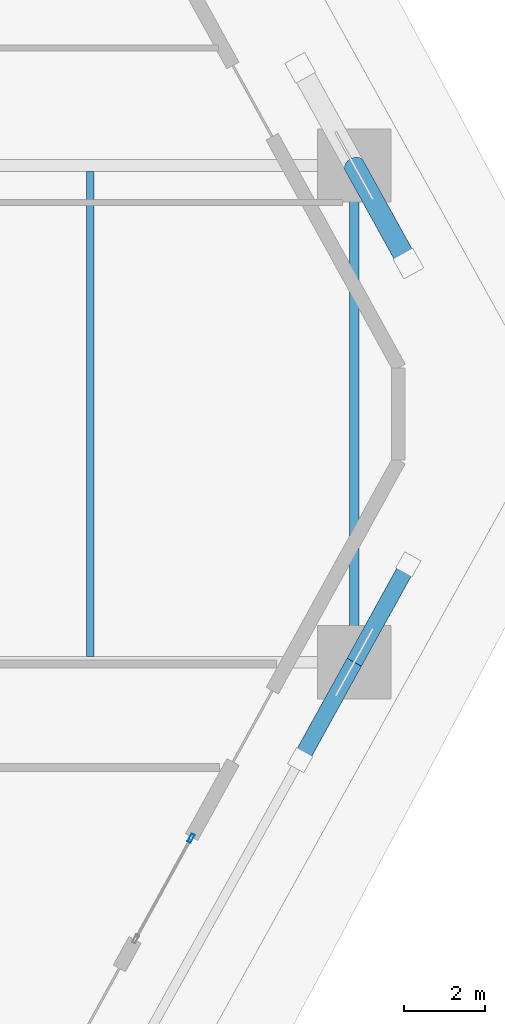
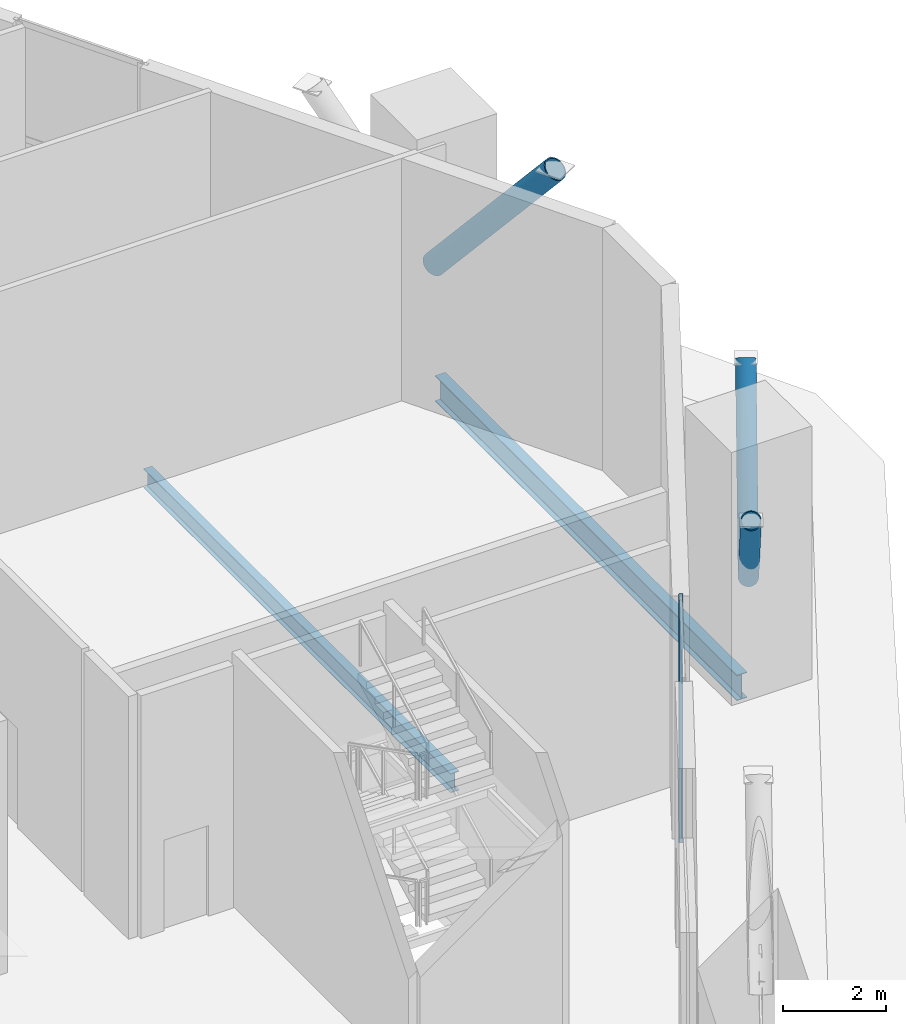
# One storey, part 9 of 22: 4 members, 2 beams, 1 element without a shape of its own.
"""IFC4 building model written with IfcOpenShell, lengths in metres."""

from ifc_helpers import new_model, si_unit, direction, frame, origin, origin_2d, place, context, subcontext, project, spatial, hollow_rectangle, hollow_circle, i_section, extrude, material, layer, layer_set, material_profile, profile_set, type_object, element, aggregate, save


model = new_model("IFC4")

# Units and contexts
model_context = context("Model", 3, precision=1e-05, world=origin(), true_north=direction((0.0, 1.0)))
body_context = subcontext(model_context, "Body", "Model", "MODEL_VIEW")
ifc_project = project(units=[si_unit("LENGTHUNIT", "METRE"), si_unit("AREAUNIT", "SQUARE_METRE"), si_unit("VOLUMEUNIT", "CUBIC_METRE"), si_unit("PLANEANGLEUNIT", "RADIAN"), si_unit("MASSUNIT", "GRAM", prefix="KILO")], contexts=[model_context])

# Site, building, storey
site_placement = place(None, origin())
site = spatial("IfcSite", under=ifc_project, at=site_placement, CompositionType="ELEMENT")
building_placement = place(site_placement, origin())
building = spatial("IfcBuilding", under=site, at=building_placement, Name="Cinnabar Lancet Tower", CompositionType="ELEMENT")
storey_placement = place(building_placement, origin())
storey = spatial("IfcBuildingStorey", under=building, at=storey_placement, Name="L00", CompositionType="ELEMENT", Elevation=0.0)

# Curtain wall, member
ifc_material_1 = material(Name="Thermally broken bronze-anodized aluminium and low-E glass", Category="aluminium")
ifc_layer = layer(ifc_material_1, 0.179931640625)
ifc_layer_set = layer_set([ifc_layer], Name="Thermally broken bronze-anodized aluminium and low-E glass")
curtain_wall_type = type_object("IfcCurtainWallType", Name="ENV-CW-SYS-01", PredefinedType="NOTDEFINED", material=ifc_layer_set)
curtain_wall_placement = place(storey_placement, origin())
curtain_wall = element("IfcCurtainWall", 1, at=curtain_wall_placement, inside=storey, type_object=curtain_wall_type, Name="L00 Face 2 Lobby Curtain Wall", PredefinedType="NOTDEFINED")
ifc_material_2 = material(Name="Anodized architectural aluminium 6063-T6", Category="aluminium")
ifc_material_profile_1 = material_profile(ifc_material_2, hollow_rectangle(XDim=0.0849609375, YDim=0.219970703125, WallThickness=0.0048828125, InnerFilletRadius=0.00244140625, OuterFilletRadius=0.007568359375, at=origin_2d()), Name="CW-MUL 220x85x5")
ifc_profile_set_1 = profile_set([ifc_material_profile_1], Name="Anodized architectural aluminium 6063-T6")
member_type_1 = type_object("IfcMemberType", Name="ENV-CW-MUL-220", PredefinedType="MULLION", material=ifc_profile_set_1)
member_1_placement = place(storey_placement, frame((55.87646484375, 15.36279296875, 0.0), z_axis=(0.0, 0.0, 1.0), x_axis=(0.875981693706, -0.482344350326, 0.0)))
member_1 = element("IfcMember", 2, at=member_1_placement, type_object=member_type_1, Name="CW-01 mullion 1", PredefinedType="MULLION", context=body_context, shape_type="SweptSolid", body=[
    extrude(hollow_rectangle(XDim=0.0849609375, YDim=0.219970703125, WallThickness=0.0048828125, InnerFilletRadius=0.00244140625, OuterFilletRadius=0.007568359375, at=origin_2d()), origin(), (0.0, 0.0, 1.0), 5.75),
])
aggregate(curtain_wall, [member_1])

# Beams
ifc_material_3 = material(Name="Structural steel S355", Category="steel")
ifc_material_profile_2 = material_profile(ifc_material_3, i_section(OverallWidth=0.1904296875, OverallDepth=0.45703125, WebThickness=0.009033203125, FlangeThickness=0.014404296875, FilletRadius=0.01025390625, at=origin_2d()), Name="UKB 457x191x74")
ifc_profile_set_2 = profile_set([ifc_material_profile_2], Name="Structural steel S355")
beam_type_1 = type_object("IfcBeamType", Name="STR-BM-JST-457", PredefinedType="JOIST", material=ifc_profile_set_2)
beam_1_placement = place(storey_placement, frame((53.39599609375, 19.839111328125, -0.47900390625), z_axis=(0.0, 1.0, 0.0), x_axis=(-1.0, 0.0, 0.0)))
element("IfcBeam", 3, at=beam_1_placement, inside=storey, type_object=beam_type_1, Name="L00 Secondary Floor Joist 1", PredefinedType="JOIST", context=body_context, shape_type="SweptSolid", body=[
    extrude(i_section(OverallWidth=0.1904296875, OverallDepth=0.45703125, WebThickness=0.009033203125, FlangeThickness=0.014404296875, FilletRadius=0.01025390625, at=origin_2d()), origin(), (0.0, 0.0, 1.0), 11.921875),
])
ifc_material_4 = material(Name="Structural steel S355", Category="steel")
ifc_material_profile_3 = material_profile(ifc_material_4, i_section(OverallWidth=0.228271484375, OverallDepth=0.607666015625, WebThickness=0.010986328125, FlangeThickness=0.017333984375, FilletRadius=0.0126953125, at=origin_2d()), Name="UKB 610x229x113")
ifc_profile_set_3 = profile_set([ifc_material_profile_3], Name="Structural steel S355")
beam_type_2 = type_object("IfcBeamType", Name="STR-BM-SPN-610", PredefinedType="SPANDREL", material=ifc_profile_set_3)
beam_2_placement = place(storey_placement, frame((59.89111328125, 19.94189453125, -0.553955078125), z_axis=(0.0, 1.0, 0.0), x_axis=(-1.0, 0.0, 0.0)))
element("IfcBeam", 4, at=beam_2_placement, inside=storey, type_object=beam_type_2, Name="L00 Perimeter Spandrel 4", PredefinedType="SPANDREL", context=body_context, shape_type="SweptSolid", body=[
    extrude(i_section(OverallWidth=0.228271484375, OverallDepth=0.607666015625, WebThickness=0.010986328125, FlangeThickness=0.017333984375, FilletRadius=0.0126953125, at=origin_2d()), origin(), (0.0, 0.0, 1.0), 11.716064453125),
])

# Members
ifc_material_5 = material(Name="Structural steel S460", Category="steel")
ifc_material_profile_4 = material_profile(ifc_material_5, hollow_circle(Radius=0.203125, WallThickness=0.02001953125, at=origin_2d()), Name="CHS 406.4x20")
ifc_profile_set_4 = profile_set([ifc_material_profile_4], Name="Structural steel S460")
member_type_2 = type_object("IfcMemberType", Name="STR-MEM-YPIL-406", PredefinedType="STRUT", material=ifc_profile_set_4)
for number, where, z_axis, x_axis, name in (
    (5, (59.89111328125, 19.69189453125, 2.199951171875), (-0.312418023343, -0.5653688128, 0.763382659093), (0.875256370508, -0.483659266308, 0.0), "Y-Pilotis Inclined Branch Strut 4A"),
    (6, (59.89111328125, 19.69189453125, 2.199951171875), (0.31235614599, 0.565417954739, 0.763371583517), (-0.875314711245, 0.483553674661, 0.0), "Y-Pilotis Inclined Branch Strut 4B"),
):
    element("IfcMember", number, at=place(storey_placement, frame(where, z_axis=z_axis, x_axis=x_axis)), inside=storey, type_object=member_type_2, Name=name, PredefinedType="STRUT", context=body_context, shape_type="SweptSolid", body=[
        extrude(hollow_circle(Radius=0.203125, WallThickness=0.02001953125, at=origin_2d()), origin(), (0.0, 0.0, 1.0), 4.25732421875),
    ])
ifc_material_6 = material(Name="Structural steel S460", Category="steel")
ifc_material_profile_5 = material_profile(ifc_material_6, hollow_circle(Radius=0.25390625, WallThickness=0.02490234375, at=origin_2d()), Name="CHS 508x25")
ifc_profile_set_5 = profile_set([ifc_material_profile_5], Name="Structural steel S460")
member_type_3 = type_object("IfcMemberType", Name="STR-MEM-YPIL-508", PredefinedType="STRUT", material=ifc_profile_set_5)
member_2_placement = place(storey_placement, frame((59.89111328125, 31.907958984375, 2.199951171875), z_axis=(0.312366273704, -0.565378941151, 0.76339633478), x_axis=(0.875293951247, 0.483591251896, 0.0)))
element("IfcMember", 7, at=member_2_placement, inside=storey, type_object=member_type_3, Name="Y-Pilotis Inclined Branch Strut 5A", PredefinedType="STRUT", context=body_context, shape_type="SweptSolid", body=[
    extrude(hollow_circle(Radius=0.25390625, WallThickness=0.02490234375, at=origin_2d()), origin(), (0.0, 0.0, 1.0), 4.25732421875),
])

save(model, "model.ifc")
